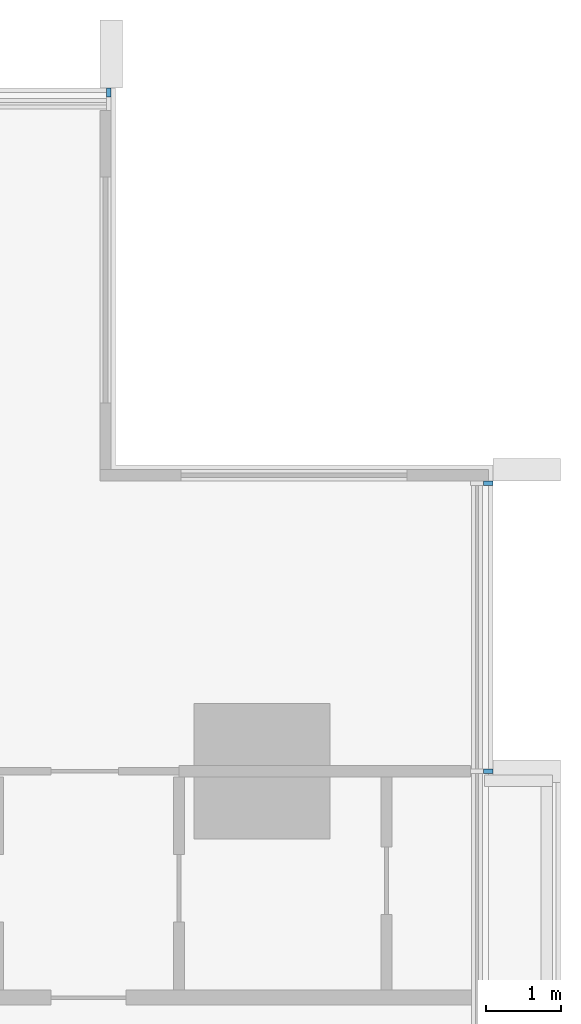
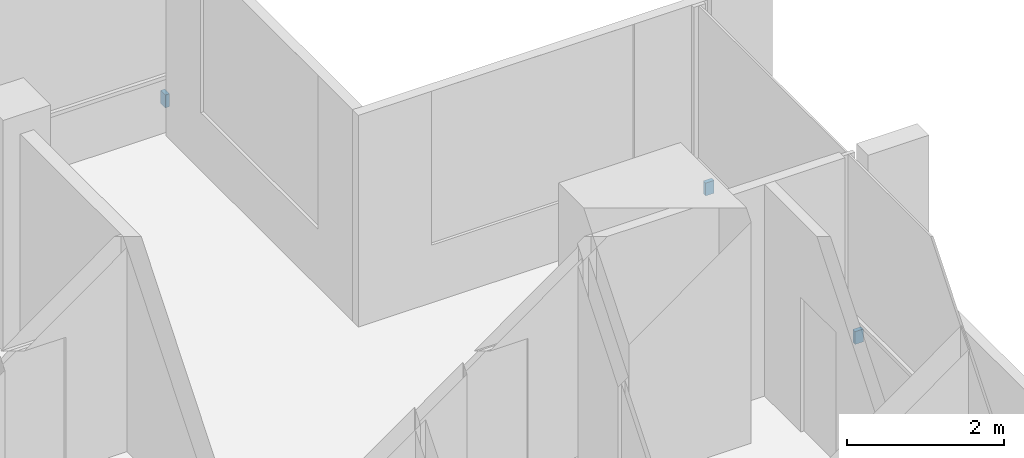
# One storey, part 15 of 16: 3 discrete accessories.
"""IFC4 building model written with IfcOpenShell, lengths in metres."""

from ifc_helpers import new_model, si_unit, direction, frame, origin, origin_2d, place, context, subcontext, project, spatial, rectangle, extrude, material, type_object, element, save


model = new_model("IFC4")

# Units and contexts
model_context = context("Model", 3, precision=1e-05, world=origin(), true_north=direction((0.0, 1.0)))
body_context = subcontext(model_context, "Body", "Model", "MODEL_VIEW")
ifc_project = project(units=[si_unit("LENGTHUNIT", "METRE"), si_unit("AREAUNIT", "SQUARE_METRE"), si_unit("VOLUMEUNIT", "CUBIC_METRE"), si_unit("PLANEANGLEUNIT", "RADIAN"), si_unit("MASSUNIT", "GRAM", prefix="KILO")], contexts=[model_context])

# Site, building, storey
site_placement = place(None, origin())
site = spatial("IfcSite", under=ifc_project, at=site_placement, CompositionType="ELEMENT")
building_placement = place(site_placement, origin())
building = spatial("IfcBuilding", under=site, at=building_placement, Name="Finial Court Residences", CompositionType="ELEMENT")
storey_placement = place(building_placement, frame((0.0, 0.0, 291.5)))
storey = spatial("IfcBuildingStorey", under=building, at=storey_placement, Name="L74", CompositionType="ELEMENT", Elevation=291.5)

# Discrete accessories
ifc_material = material(Name="Stainless steel 316", Category="steel")
discrete_accessory_type = type_object("IfcDiscreteAccessoryType", Name="Fin bracket, stainless steel 60 x 122 x 200", PredefinedType="BRACKET", material=ifc_material)
discrete_accessory_placement = place(storey_placement, frame((14.469970703125, 16.498779296875, 0.2998046875), z_axis=(0.0, 0.0, 1.0), x_axis=(1.0, 0.0, 0.0)))
element("IfcDiscreteAccessory", 1, at=discrete_accessory_placement, inside=storey, type_object=discrete_accessory_type, Name="E-L74-FIN-N6-BRK", PredefinedType="BRACKET", context=body_context, shape_type="SweptSolid", body=[
    extrude(rectangle(XDim=0.06005859375, YDim=0.12255859375, at=origin_2d()), origin(), (0.0, 0.0, 1.0), 0.199951171875),
])
for number, where, z_axis, x_axis, name in (
    (2, (19.498779296875, 7.5, 0.2998046875), (0.0, 0.0, 1.0), (1.0, 0.0, 0.0), "E-L74-FIN-E11-BRK"),
    (3, (19.498779296875, 11.320068359375, 0.2998046875), (0.0, 0.0, 1.0), (1.0, 0.0, 0.0), "E-L74-FIN-E12-BRK"),
):
    element("IfcDiscreteAccessory", number, at=place(storey_placement, frame(where, z_axis=z_axis, x_axis=x_axis)), inside=storey, type_object=discrete_accessory_type, Name=name, PredefinedType="BRACKET", context=body_context, shape_type="SweptSolid", body=[
        extrude(rectangle(XDim=0.12255859375, YDim=0.06005859375, at=origin_2d()), origin(), (0.0, 0.0, 1.0), 0.199951171875),
    ])

save(model, "model.ifc")
